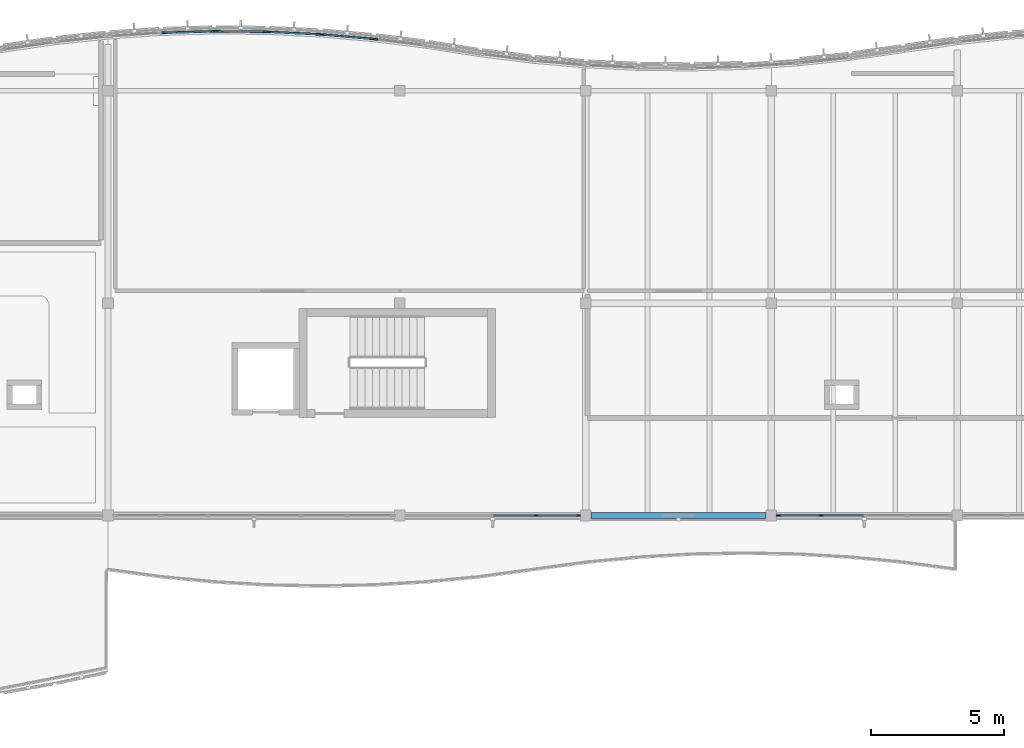
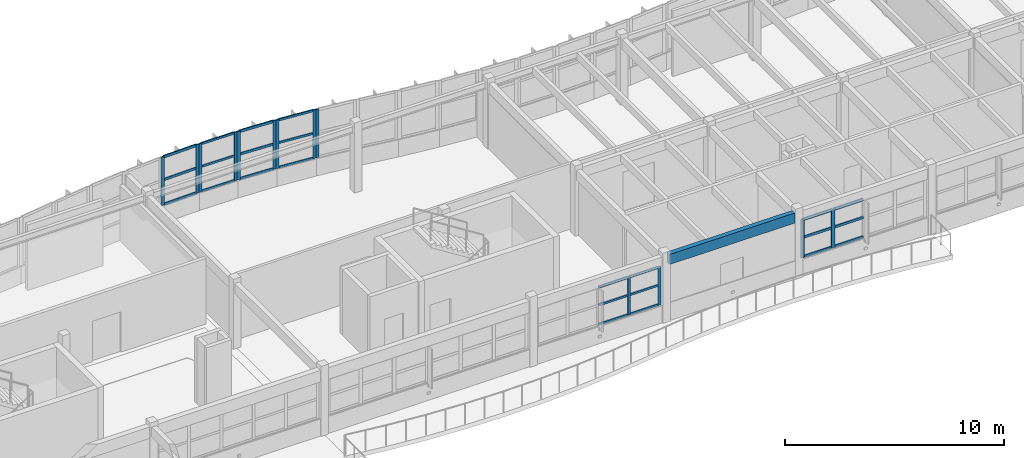
# One storey, part 17 of 52: 37 members, 1 beam, 7 elements without a shape of their own.
"""IFC4 building model written with IfcOpenShell, lengths in metres."""

from ifc_helpers import new_model, si_unit, direction, frame, origin, origin_2d, place, context, subcontext, project, spatial, rectangle, extrude, material, layer, layer_set, material_profile, profile_set, type_object, element, aggregate, save


model = new_model("IFC4")

# Units and contexts
model_context = context("Model", 3, precision=1e-05, world=origin(), true_north=direction((0.0, 1.0)))
body_context = subcontext(model_context, "Body", "Model", "MODEL_VIEW")
ifc_project = project(units=[si_unit("LENGTHUNIT", "METRE"), si_unit("AREAUNIT", "SQUARE_METRE"), si_unit("VOLUMEUNIT", "CUBIC_METRE"), si_unit("PLANEANGLEUNIT", "RADIAN"), si_unit("MASSUNIT", "GRAM", prefix="KILO")], contexts=[model_context])

# Site, building, storey
site_placement = place(None, origin())
site = spatial("IfcSite", under=ifc_project, at=site_placement, CompositionType="ELEMENT")
building_placement = place(site_placement, origin())
building = spatial("IfcBuilding", under=site, at=building_placement, Name="Tonlespit Floodbar School", CompositionType="ELEMENT")
storey_placement = place(building_placement, frame((0.0, 0.0, 12.300048828125)))
storey = spatial("IfcBuildingStorey", under=building, at=storey_placement, Name="L03", CompositionType="ELEMENT", Elevation=12.300048828125)

# Beam
ifc_material_1 = material(Name="Glulam GL28h", Category="wood")
ifc_material_profile_1 = material_profile(ifc_material_1, rectangle(XDim=0.239990234375, YDim=0.56005859375, at=origin_2d()), Name="GL 240x560")
ifc_profile_set_1 = profile_set([ifc_material_profile_1], Name="Glulam GL28h")
beam_type = type_object("IfcBeamType", Name="Beam_GL_240x560", PredefinedType="BEAM", material=ifc_profile_set_1)
beam_placement = place(storey_placement, frame((134.199951171875, 104.0, 3.364990234375), z_axis=(1.0, 0.0, 0.0), x_axis=(0.0, 1.0, 0.0)))
element("IfcBeam", 1, at=beam_placement, inside=storey, type_object=beam_type, Name="L03 girder 1177", PredefinedType="BEAM", context=body_context, shape_type="SweptSolid", body=[
    extrude(rectangle(XDim=0.239990234375, YDim=0.56005859375, at=origin_2d()), origin(), (0.0, 0.0, 1.0), 6.60009765625),
])

# Curtain wall, members
ifc_material_2 = material(Name="Anodised Aluminium", Category="aluminium")
ifc_layer_1 = layer(ifc_material_2, 0.159912109375)
ifc_layer_set_1 = layer_set([ifc_layer_1], Name="Anodised Aluminium")
curtain_wall_type_1 = type_object("IfcCurtainWallType", Name="CurtainWall_1900x2700", PredefinedType="NOTDEFINED", material=ifc_layer_set_1)
curtain_wall_1_placement = place(storey_placement, origin())
curtain_wall_1 = element("IfcCurtainWall", 2, at=curtain_wall_1_placement, inside=storey, type_object=curtain_wall_type_1, Name="L03 unitised curtain wall 0448", PredefinedType="NOTDEFINED")
ifc_material_profile_2 = material_profile(ifc_material_2, rectangle(XDim=0.06494140625, YDim=0.14990234375, at=origin_2d()), Name="ALU M65x150")
ifc_profile_set_2 = profile_set([ifc_material_profile_2], Name="Anodised Aluminium")
member_type_1 = type_object("IfcMemberType", Name="CW_Mullion_65x150", PredefinedType="MULLION", material=ifc_profile_set_2)
member_1_placement = place(storey_placement, frame((120.072509765625, 122.246337890625, 0.949951171875), z_axis=(0.0, 0.0, 1.0), x_axis=(0.009582893292, 0.999954083024, 0.0)))
member_1 = element("IfcMember", 3, at=member_1_placement, type_object=member_type_1, Name="CW-05 mullion 1", PredefinedType="MULLION", context=body_context, shape_type="SweptSolid", body=[
    extrude(rectangle(XDim=0.06494140625, YDim=0.14990234375, at=origin_2d()), origin(), (0.0, 0.0, 1.0), 2.699951171875),
])
member_2_placement = place(storey_placement, frame((121.927490234375, 122.228515625, 0.949951171875), z_axis=(0.0, 0.0, 1.0), x_axis=(0.009582893292, 0.999954083024, 0.0)))
member_2 = element("IfcMember", 4, at=member_2_placement, type_object=member_type_1, Name="CW-05 mullion 2", PredefinedType="MULLION", context=body_context, shape_type="SweptSolid", body=[
    extrude(rectangle(XDim=0.06494140625, YDim=0.14990234375, at=origin_2d()), origin(), (0.0, 0.0, 1.0), 2.699951171875),
])

ifc_layer_2 = layer(ifc_material_2, 0.159912109375)
ifc_layer_set_2 = layer_set([ifc_layer_2], Name="Anodised Aluminium")
curtain_wall_type_2 = type_object("IfcCurtainWallType", Name="CurtainWall_1950x2700", PredefinedType="NOTDEFINED", material=ifc_layer_set_2)
curtain_wall_2_placement = place(storey_placement, origin())
curtain_wall_2 = element("IfcCurtainWall", 5, at=curtain_wall_2_placement, inside=storey, type_object=curtain_wall_type_2, Name="L03 unitised curtain wall 0450", PredefinedType="NOTDEFINED")
member_3_placement = place(storey_placement, frame((124.072265625, 122.125244140625, 0.949951171875), z_axis=(0.0, 0.0, 1.0), x_axis=(0.086531117454, 0.996249148412, 0.0)))
member_3 = element("IfcMember", 6, at=member_3_placement, type_object=member_type_1, Name="CW-04 mullion 1", PredefinedType="MULLION", context=body_context, shape_type="SweptSolid", body=[
    extrude(rectangle(XDim=0.06494140625, YDim=0.14990234375, at=origin_2d()), origin(), (0.0, 0.0, 1.0), 2.699951171875),
])
member_4_placement = place(storey_placement, frame((125.927734375, 121.964111328125, 0.949951171875), z_axis=(0.0, 0.0, 1.0), x_axis=(0.086531117454, 0.996249148412, 0.0)))
member_4 = element("IfcMember", 7, at=member_4_placement, type_object=member_type_1, Name="CW-04 mullion 2", PredefinedType="MULLION", context=body_context, shape_type="SweptSolid", body=[
    extrude(rectangle(XDim=0.06494140625, YDim=0.14990234375, at=origin_2d()), origin(), (0.0, 0.0, 1.0), 2.699951171875),
])

ifc_layer_3 = layer(ifc_material_2, 0.159912109375)
ifc_layer_set_3 = layer_set([ifc_layer_3], Name="Anodised Aluminium")
curtain_wall_type_3 = type_object("IfcCurtainWallType", Name="CurtainWall_6500x2150", PredefinedType="NOTDEFINED", material=ifc_layer_set_3)
curtain_wall_3_placement = place(storey_placement, origin())
curtain_wall_3 = element("IfcCurtainWall", 8, at=curtain_wall_3_placement, inside=storey, type_object=curtain_wall_type_3, Name="L03 unitised curtain wall 0472", PredefinedType="NOTDEFINED")
member_5_placement = place(storey_placement, frame((133.7275390625, 104.0, 0.949951171875), z_axis=(0.0, 0.0, 1.0), x_axis=(0.0, -1.0, 0.0)))
member_5 = element("IfcMember", 9, at=member_5_placement, type_object=member_type_1, Name="CW-67 mullion 1", PredefinedType="MULLION", context=body_context, shape_type="SweptSolid", body=[
    extrude(rectangle(XDim=0.06494140625, YDim=0.14990234375, at=origin_2d()), origin(), (0.0, 0.0, 1.0), 2.135009765625),
])
member_6_placement = place(storey_placement, frame((132.1298828125, 104.0, 0.949951171875), z_axis=(0.0, 0.0, 1.0), x_axis=(0.0, -1.0, 0.0)))
member_6 = element("IfcMember", 10, at=member_6_placement, type_object=member_type_1, Name="CW-67 mullion 2", PredefinedType="MULLION", context=body_context, shape_type="SweptSolid", body=[
    extrude(rectangle(XDim=0.06494140625, YDim=0.14990234375, at=origin_2d()), origin(), (0.0, 0.0, 1.0), 2.135009765625),
])

curtain_wall_4_placement = place(storey_placement, origin())
curtain_wall_4 = element("IfcCurtainWall", 11, at=curtain_wall_4_placement, inside=storey, type_object=curtain_wall_type_1, Name="L03 unitised curtain wall 0447", PredefinedType="NOTDEFINED")
ifc_material_profile_3 = material_profile(ifc_material_2, rectangle(XDim=0.06494140625, YDim=0.179931640625, at=origin_2d()), Name="ALU M65x180")
ifc_profile_set_3 = profile_set([ifc_material_profile_3], Name="Anodised Aluminium")
member_type_2 = type_object("IfcMemberType", Name="CW_Mullion_65x180", PredefinedType="MULLION", material=ifc_profile_set_3)
member_7_placement = place(storey_placement, frame((118.072509765625, 122.19140625, 0.949951171875), z_axis=(0.0, 0.0, 1.0), x_axis=(-0.028790144226, 0.999585477883, 0.0)))
member_7 = element("IfcMember", 12, at=member_7_placement, type_object=member_type_2, Name="CW-05 mullion 1", PredefinedType="MULLION", context=body_context, shape_type="SweptSolid", body=[
    extrude(rectangle(XDim=0.06494140625, YDim=0.179931640625, at=origin_2d()), origin(), (0.0, 0.0, 1.0), 2.699951171875),
])
member_8_placement = place(storey_placement, frame((119.927490234375, 122.244873046875, 0.949951171875), z_axis=(0.0, 0.0, 1.0), x_axis=(-0.028790144226, 0.999585477883, 0.0)))
member_8 = element("IfcMember", 13, at=member_8_placement, type_object=member_type_2, Name="CW-05 mullion 2", PredefinedType="MULLION", context=body_context, shape_type="SweptSolid", body=[
    extrude(rectangle(XDim=0.06494140625, YDim=0.179931640625, at=origin_2d()), origin(), (0.0, 0.0, 1.0), 2.699951171875),
])

curtain_wall_5_placement = place(storey_placement, origin())
curtain_wall_5 = element("IfcCurtainWall", 14, at=curtain_wall_5_placement, inside=storey, type_object=curtain_wall_type_1, Name="L03 unitised curtain wall 0449", PredefinedType="NOTDEFINED")
member_9_placement = place(storey_placement, frame((122.072509765625, 122.224365234375, 0.949951171875), z_axis=(0.0, 0.0, 1.0), x_axis=(0.048121270216, 0.998841500616, 0.0)))
member_9 = element("IfcMember", 15, at=member_9_placement, type_object=member_type_2, Name="CW-05 mullion 1", PredefinedType="MULLION", context=body_context, shape_type="SweptSolid", body=[
    extrude(rectangle(XDim=0.06494140625, YDim=0.179931640625, at=origin_2d()), origin(), (0.0, 0.0, 1.0), 2.699951171875),
])
member_10_placement = place(storey_placement, frame((123.927490234375, 122.135009765625, 0.949951171875), z_axis=(0.0, 0.0, 1.0), x_axis=(0.048121270216, 0.998841500616, 0.0)))
member_10 = element("IfcMember", 16, at=member_10_placement, type_object=member_type_2, Name="CW-05 mullion 2", PredefinedType="MULLION", context=body_context, shape_type="SweptSolid", body=[
    extrude(rectangle(XDim=0.06494140625, YDim=0.179931640625, at=origin_2d()), origin(), (0.0, 0.0, 1.0), 2.699951171875),
])

# Curtain wall, member
curtain_wall_6_placement = place(storey_placement, origin())
curtain_wall_6 = element("IfcCurtainWall", 17, at=curtain_wall_6_placement, inside=storey, type_object=curtain_wall_type_2, Name="L03 unitised curtain wall 0451", PredefinedType="NOTDEFINED")
member_11_placement = place(storey_placement, frame((126.072021484375, 121.94873046875, 0.949951171875), z_axis=(0.0, 0.0, 1.0), x_axis=(0.125013803299, 0.992155002499, 0.0)))
member_11 = element("IfcMember", 18, at=member_11_placement, type_object=member_type_2, Name="CW-04 mullion 1", PredefinedType="MULLION", context=body_context, shape_type="SweptSolid", body=[
    extrude(rectangle(XDim=0.06494140625, YDim=0.179931640625, at=origin_2d()), origin(), (0.0, 0.0, 1.0), 2.699951171875),
])
aggregate(curtain_wall_6, [member_11])

# Curtain wall, members
curtain_wall_7_placement = place(storey_placement, origin())
curtain_wall_7 = element("IfcCurtainWall", 19, at=curtain_wall_7_placement, inside=storey, type_object=curtain_wall_type_3, Name="L03 unitised curtain wall 0471", PredefinedType="NOTDEFINED")
member_12_placement = place(storey_placement, frame((142.8701171875, 104.0, 0.949951171875), z_axis=(0.0, 0.0, 1.0), x_axis=(0.0, -1.0, 0.0)))
member_12 = element("IfcMember", 20, at=member_12_placement, type_object=member_type_2, Name="CW-67 mullion 4", PredefinedType="MULLION", context=body_context, shape_type="SweptSolid", body=[
    extrude(rectangle(XDim=0.06494140625, YDim=0.179931640625, at=origin_2d()), origin(), (0.0, 0.0, 1.0), 2.135009765625),
])
member_13_placement = place(storey_placement, frame((141.2724609375, 104.0, 0.949951171875), z_axis=(0.0, 0.0, 1.0), x_axis=(0.0, -1.0, 0.0)))
member_13 = element("IfcMember", 21, at=member_13_placement, type_object=member_type_2, Name="CW-67 mullion 5", PredefinedType="MULLION", context=body_context, shape_type="SweptSolid", body=[
    extrude(rectangle(XDim=0.06494140625, YDim=0.179931640625, at=origin_2d()), origin(), (0.0, 0.0, 1.0), 2.135009765625),
])

# Member
ifc_material_profile_4 = material_profile(ifc_material_2, rectangle(XDim=0.06494140625, YDim=0.1201171875, at=origin_2d()), Name="ALU T65x120")
ifc_profile_set_4 = profile_set([ifc_material_profile_4], Name="Anodised Aluminium")
member_type_3 = type_object("IfcMemberType", Name="CW_Transom_65x120", PredefinedType="USERDEFINED", material=ifc_profile_set_4)
member_14_placement = place(storey_placement, frame((120.10498046875, 122.24609375, 0.982421875), z_axis=(0.999953117448, -0.009683124842, 0.0), x_axis=(0.009683124842, 0.999953117448, 0.0)))
member_14 = element("IfcMember", 22, at=member_14_placement, type_object=member_type_3, Name="CW-05 transom 1.1", ObjectType="TRANSOM", PredefinedType="USERDEFINED", context=body_context, shape_type="SweptSolid", body=[
    extrude(rectangle(XDim=0.06494140625, YDim=0.1201171875, at=origin_2d()), origin(), (0.0, 0.0, 1.0), 1.7900390625),
])

member_15_placement = place(storey_placement, frame((120.10498046875, 122.24609375, 2.35400390625), z_axis=(0.999953117448, -0.009683124842, 0.0), x_axis=(0.009683124842, 0.999953117448, 0.0)))
member_15 = element("IfcMember", 23, at=member_15_placement, type_object=member_type_3, Name="CW-05 transom 1.2", ObjectType="TRANSOM", PredefinedType="USERDEFINED", context=body_context, shape_type="SweptSolid", body=[
    extrude(rectangle(XDim=0.06494140625, YDim=0.1201171875, at=origin_2d()), origin(), (0.0, 0.0, 1.0), 1.7900390625),
])

member_16_placement = place(storey_placement, frame((120.10498046875, 122.24609375, 3.617431640625), z_axis=(0.999953117448, -0.009683124842, 0.0), x_axis=(0.009683124842, 0.999953117448, 0.0)))
member_16 = element("IfcMember", 24, at=member_16_placement, type_object=member_type_3, Name="CW-05 transom 1.3", ObjectType="TRANSOM", PredefinedType="USERDEFINED", context=body_context, shape_type="SweptSolid", body=[
    extrude(rectangle(XDim=0.06494140625, YDim=0.1201171875, at=origin_2d()), origin(), (0.0, 0.0, 1.0), 1.7900390625),
])

aggregate(curtain_wall_1, [member_1, member_2, member_14, member_15, member_16])

member_17_placement = place(storey_placement, frame((124.1044921875, 122.122314453125, 0.982421875), z_axis=(0.996251281774, -0.086506552139, 0.0), x_axis=(0.086506552139, 0.996251281774, 0.0)))
member_17 = element("IfcMember", 25, at=member_17_placement, type_object=member_type_3, Name="CW-04 transom 1.1", ObjectType="TRANSOM", PredefinedType="USERDEFINED", context=body_context, shape_type="SweptSolid", body=[
    extrude(rectangle(XDim=0.06494140625, YDim=0.1201171875, at=origin_2d()), origin(), (0.0, 0.0, 1.0), 1.7978515625),
])

member_18_placement = place(storey_placement, frame((124.1044921875, 122.122314453125, 2.35400390625), z_axis=(0.996251281774, -0.086506552139, 0.0), x_axis=(0.086506552139, 0.996251281774, 0.0)))
member_18 = element("IfcMember", 26, at=member_18_placement, type_object=member_type_3, Name="CW-04 transom 1.2", ObjectType="TRANSOM", PredefinedType="USERDEFINED", context=body_context, shape_type="SweptSolid", body=[
    extrude(rectangle(XDim=0.06494140625, YDim=0.1201171875, at=origin_2d()), origin(), (0.0, 0.0, 1.0), 1.7978515625),
])

member_19_placement = place(storey_placement, frame((124.1044921875, 122.122314453125, 3.617431640625), z_axis=(0.996251281774, -0.086506552139, 0.0), x_axis=(0.086506552139, 0.996251281774, 0.0)))
member_19 = element("IfcMember", 27, at=member_19_placement, type_object=member_type_3, Name="CW-04 transom 1.3", ObjectType="TRANSOM", PredefinedType="USERDEFINED", context=body_context, shape_type="SweptSolid", body=[
    extrude(rectangle(XDim=0.06494140625, YDim=0.1201171875, at=origin_2d()), origin(), (0.0, 0.0, 1.0), 1.7978515625),
])

aggregate(curtain_wall_2, [member_3, member_4, member_17, member_18, member_19])

member_20_placement = place(storey_placement, frame((133.695068359375, 104.0, 0.982421875), z_axis=(-1.0, 0.0, 0.0), x_axis=(0.0, -1.0, 0.0)))
member_20 = element("IfcMember", 28, at=member_20_placement, type_object=member_type_3, Name="CW-67 transom 1.1", ObjectType="TRANSOM", PredefinedType="USERDEFINED", context=body_context, shape_type="SweptSolid", body=[
    extrude(rectangle(XDim=0.06494140625, YDim=0.1201171875, at=origin_2d()), origin(), (0.0, 0.0, 1.0), 1.532470703125),
])

member_21_placement = place(storey_placement, frame((133.695068359375, 104.0, 2.06005859375), z_axis=(-1.0, 0.0, 0.0), x_axis=(0.0, -1.0, 0.0)))
member_21 = element("IfcMember", 29, at=member_21_placement, type_object=member_type_3, Name="CW-67 transom 1.2", ObjectType="TRANSOM", PredefinedType="USERDEFINED", context=body_context, shape_type="SweptSolid", body=[
    extrude(rectangle(XDim=0.06494140625, YDim=0.1201171875, at=origin_2d()), origin(), (0.0, 0.0, 1.0), 1.532470703125),
])

member_22_placement = place(storey_placement, frame((133.695068359375, 104.0, 3.052490234375), z_axis=(-1.0, 0.0, 0.0), x_axis=(0.0, -1.0, 0.0)))
member_22 = element("IfcMember", 30, at=member_22_placement, type_object=member_type_3, Name="CW-67 transom 1.3", ObjectType="TRANSOM", PredefinedType="USERDEFINED", context=body_context, shape_type="SweptSolid", body=[
    extrude(rectangle(XDim=0.06494140625, YDim=0.1201171875, at=origin_2d()), origin(), (0.0, 0.0, 1.0), 1.532470703125),
])

member_23_placement = place(storey_placement, frame((132.097412109375, 104.0, 0.982421875), z_axis=(-1.0, 0.0, 0.0), x_axis=(0.0, -1.0, 0.0)))
member_23 = element("IfcMember", 31, at=member_23_placement, type_object=member_type_3, Name="CW-67 transom 2.1", ObjectType="TRANSOM", PredefinedType="USERDEFINED", context=body_context, shape_type="SweptSolid", body=[
    extrude(rectangle(XDim=0.06494140625, YDim=0.1201171875, at=origin_2d()), origin(), (0.0, 0.0, 1.0), 1.56494140625),
])

member_24_placement = place(storey_placement, frame((132.097412109375, 104.0, 2.06005859375), z_axis=(-1.0, 0.0, 0.0), x_axis=(0.0, -1.0, 0.0)))
member_24 = element("IfcMember", 32, at=member_24_placement, type_object=member_type_3, Name="CW-67 transom 2.2", ObjectType="TRANSOM", PredefinedType="USERDEFINED", context=body_context, shape_type="SweptSolid", body=[
    extrude(rectangle(XDim=0.06494140625, YDim=0.1201171875, at=origin_2d()), origin(), (0.0, 0.0, 1.0), 1.56494140625),
])

member_25_placement = place(storey_placement, frame((132.097412109375, 104.0, 3.052490234375), z_axis=(-1.0, 0.0, 0.0), x_axis=(0.0, -1.0, 0.0)))
member_25 = element("IfcMember", 33, at=member_25_placement, type_object=member_type_3, Name="CW-67 transom 2.3", ObjectType="TRANSOM", PredefinedType="USERDEFINED", context=body_context, shape_type="SweptSolid", body=[
    extrude(rectangle(XDim=0.06494140625, YDim=0.1201171875, at=origin_2d()), origin(), (0.0, 0.0, 1.0), 1.56494140625),
])

aggregate(curtain_wall_3, [member_5, member_6, member_20, member_21, member_22, member_23, member_24, member_25])

ifc_material_profile_5 = material_profile(ifc_material_2, rectangle(XDim=0.06494140625, YDim=0.139892578125, at=origin_2d()), Name="ALU T65x140")
ifc_profile_set_5 = profile_set([ifc_material_profile_5], Name="Anodised Aluminium")
member_type_4 = type_object("IfcMemberType", Name="CW_Transom_65x140", PredefinedType="USERDEFINED", material=ifc_profile_set_5)
member_26_placement = place(storey_placement, frame((118.10498046875, 122.1923828125, 0.982421875), z_axis=(0.999586171543, 0.02876605049, 0.0), x_axis=(-0.02876605049, 0.999586171543, 0.0)))
member_26 = element("IfcMember", 34, at=member_26_placement, type_object=member_type_4, Name="CW-05 transom 1.1", ObjectType="TRANSOM", PredefinedType="USERDEFINED", context=body_context, shape_type="SweptSolid", body=[
    extrude(rectangle(XDim=0.06494140625, YDim=0.139892578125, at=origin_2d()), origin(), (0.0, 0.0, 1.0), 1.790771484375),
])

member_27_placement = place(storey_placement, frame((118.10498046875, 122.1923828125, 2.35400390625), z_axis=(0.999586171543, 0.02876605049, 0.0), x_axis=(-0.02876605049, 0.999586171543, 0.0)))
member_27 = element("IfcMember", 35, at=member_27_placement, type_object=member_type_4, Name="CW-05 transom 1.2", ObjectType="TRANSOM", PredefinedType="USERDEFINED", context=body_context, shape_type="SweptSolid", body=[
    extrude(rectangle(XDim=0.06494140625, YDim=0.139892578125, at=origin_2d()), origin(), (0.0, 0.0, 1.0), 1.790771484375),
])

member_28_placement = place(storey_placement, frame((118.10498046875, 122.1923828125, 3.617431640625), z_axis=(0.999586171543, 0.02876605049, 0.0), x_axis=(-0.02876605049, 0.999586171543, 0.0)))
member_28 = element("IfcMember", 36, at=member_28_placement, type_object=member_type_4, Name="CW-05 transom 1.3", ObjectType="TRANSOM", PredefinedType="USERDEFINED", context=body_context, shape_type="SweptSolid", body=[
    extrude(rectangle(XDim=0.06494140625, YDim=0.139892578125, at=origin_2d()), origin(), (0.0, 0.0, 1.0), 1.790771484375),
])

aggregate(curtain_wall_4, [member_7, member_8, member_26, member_27, member_28])

member_29_placement = place(storey_placement, frame((122.10498046875, 122.22265625, 0.982421875), z_axis=(0.998843034795, -0.048089415069, 0.0), x_axis=(0.048089415069, 0.998843034795, 0.0)))
member_29 = element("IfcMember", 37, at=member_29_placement, type_object=member_type_4, Name="CW-05 transom 1.1", ObjectType="TRANSOM", PredefinedType="USERDEFINED", context=body_context, shape_type="SweptSolid", body=[
    extrude(rectangle(XDim=0.06494140625, YDim=0.139892578125, at=origin_2d()), origin(), (0.0, 0.0, 1.0), 1.7919921875),
])

member_30_placement = place(storey_placement, frame((122.10498046875, 122.22265625, 2.35400390625), z_axis=(0.998843034795, -0.048089415069, 0.0), x_axis=(0.048089415069, 0.998843034795, 0.0)))
member_30 = element("IfcMember", 38, at=member_30_placement, type_object=member_type_4, Name="CW-05 transom 1.2", ObjectType="TRANSOM", PredefinedType="USERDEFINED", context=body_context, shape_type="SweptSolid", body=[
    extrude(rectangle(XDim=0.06494140625, YDim=0.139892578125, at=origin_2d()), origin(), (0.0, 0.0, 1.0), 1.7919921875),
])

member_31_placement = place(storey_placement, frame((122.10498046875, 122.22265625, 3.617431640625), z_axis=(0.998843034795, -0.048089415069, 0.0), x_axis=(0.048089415069, 0.998843034795, 0.0)))
member_31 = element("IfcMember", 39, at=member_31_placement, type_object=member_type_4, Name="CW-05 transom 1.3", ObjectType="TRANSOM", PredefinedType="USERDEFINED", context=body_context, shape_type="SweptSolid", body=[
    extrude(rectangle(XDim=0.06494140625, YDim=0.139892578125, at=origin_2d()), origin(), (0.0, 0.0, 1.0), 1.7919921875),
])

aggregate(curtain_wall_5, [member_9, member_10, member_29, member_30, member_31])

member_32_placement = place(storey_placement, frame((144.467529296875, 104.0, 0.982421875), z_axis=(-1.0, 0.0, 0.0), x_axis=(0.0, -1.0, 0.0)))
member_32 = element("IfcMember", 40, at=member_32_placement, type_object=member_type_4, Name="CW-67 transom 3.1", ObjectType="TRANSOM", PredefinedType="USERDEFINED", context=body_context, shape_type="SweptSolid", body=[
    extrude(rectangle(XDim=0.06494140625, YDim=0.139892578125, at=origin_2d()), origin(), (0.0, 0.0, 1.0), 1.56494140625),
])

member_33_placement = place(storey_placement, frame((144.467529296875, 104.0, 2.06005859375), z_axis=(-1.0, 0.0, 0.0), x_axis=(0.0, -1.0, 0.0)))
member_33 = element("IfcMember", 41, at=member_33_placement, type_object=member_type_4, Name="CW-67 transom 3.2", ObjectType="TRANSOM", PredefinedType="USERDEFINED", context=body_context, shape_type="SweptSolid", body=[
    extrude(rectangle(XDim=0.06494140625, YDim=0.139892578125, at=origin_2d()), origin(), (0.0, 0.0, 1.0), 1.56494140625),
])

member_34_placement = place(storey_placement, frame((144.467529296875, 104.0, 3.052490234375), z_axis=(-1.0, 0.0, 0.0), x_axis=(0.0, -1.0, 0.0)))
member_34 = element("IfcMember", 42, at=member_34_placement, type_object=member_type_4, Name="CW-67 transom 3.3", ObjectType="TRANSOM", PredefinedType="USERDEFINED", context=body_context, shape_type="SweptSolid", body=[
    extrude(rectangle(XDim=0.06494140625, YDim=0.139892578125, at=origin_2d()), origin(), (0.0, 0.0, 1.0), 1.56494140625),
])

member_35_placement = place(storey_placement, frame((142.83740234375, 104.0, 0.982421875), z_axis=(-1.0, 0.0, 0.0), x_axis=(0.0, -1.0, 0.0)))
member_35 = element("IfcMember", 43, at=member_35_placement, type_object=member_type_4, Name="CW-67 transom 4.1", ObjectType="TRANSOM", PredefinedType="USERDEFINED", context=body_context, shape_type="SweptSolid", body=[
    extrude(rectangle(XDim=0.06494140625, YDim=0.139892578125, at=origin_2d()), origin(), (0.0, 0.0, 1.0), 1.532470703125),
])

member_36_placement = place(storey_placement, frame((142.83740234375, 104.0, 2.06005859375), z_axis=(-1.0, 0.0, 0.0), x_axis=(0.0, -1.0, 0.0)))
member_36 = element("IfcMember", 44, at=member_36_placement, type_object=member_type_4, Name="CW-67 transom 4.2", ObjectType="TRANSOM", PredefinedType="USERDEFINED", context=body_context, shape_type="SweptSolid", body=[
    extrude(rectangle(XDim=0.06494140625, YDim=0.139892578125, at=origin_2d()), origin(), (0.0, 0.0, 1.0), 1.532470703125),
])

member_37_placement = place(storey_placement, frame((142.83740234375, 104.0, 3.052490234375), z_axis=(-1.0, 0.0, 0.0), x_axis=(0.0, -1.0, 0.0)))
member_37 = element("IfcMember", 45, at=member_37_placement, type_object=member_type_4, Name="CW-67 transom 4.3", ObjectType="TRANSOM", PredefinedType="USERDEFINED", context=body_context, shape_type="SweptSolid", body=[
    extrude(rectangle(XDim=0.06494140625, YDim=0.139892578125, at=origin_2d()), origin(), (0.0, 0.0, 1.0), 1.532470703125),
])

aggregate(curtain_wall_7, [member_12, member_13, member_32, member_33, member_34, member_35, member_36, member_37])

save(model, "model.ifc")
